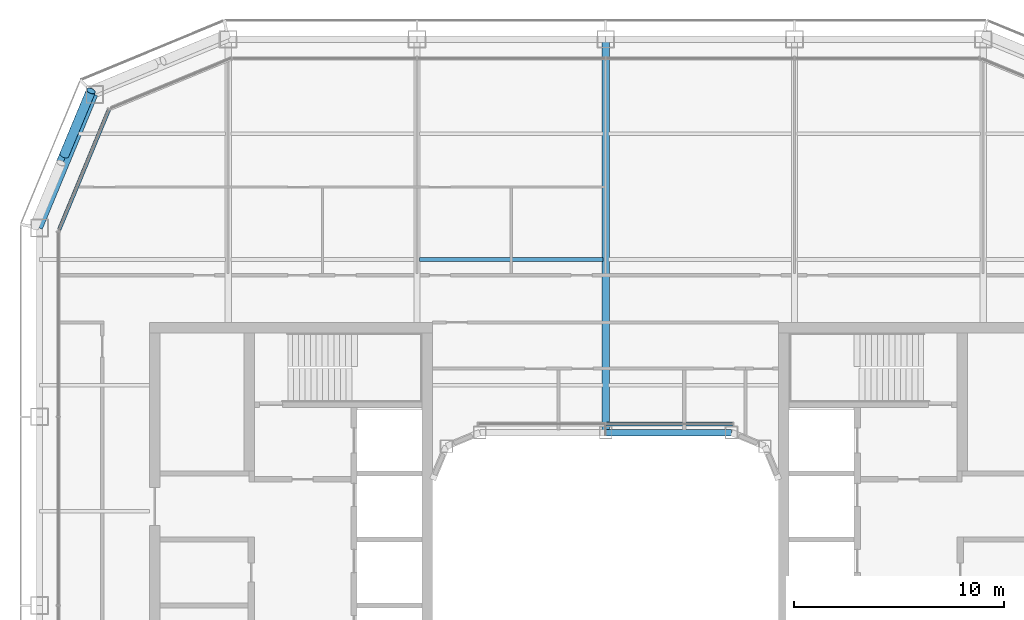
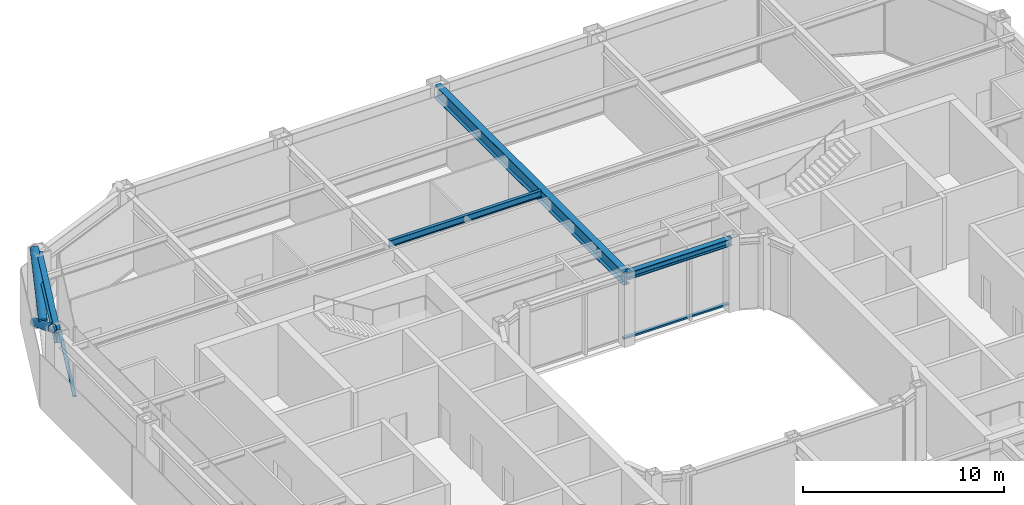
# One storey, part 7 of 19: 4 beams, 4 members, 2 elements without a shape of their own.
"""IFC4 building model written with IfcOpenShell, lengths in metres."""

import ifcopenshell
import ifcopenshell.guid

model = None  # the IFC model being written
_history = None  # IfcOwnerHistory: only IFC2X3 demands one
_inside = {}  # id of a spatial element -> (the spatial element, [elements in it])
_under = {}  # id of a project, library or spatial element -> (it, [spatial elements below it])
_declared = {}  # id of a project -> (the project, [libraries it declares])
_typed = {}  # id of a type object -> (the type object, [elements of that type])
_made_of = {}  # id of a material, layer set ... -> (it, [elements and type objects made of it])


def new_model(schema):
    """Start an empty IFC model of exactly this schema.

    Asked for "IFC4X3", IfcOpenShell would pick the latest addendum, in which some entities
    have other attributes; the version numbers below select the first issue.
    IFC2X3 requires an IfcOwnerHistory on every rooted entity: one is made here for all.
    """
    global model, _history
    if schema == "IFC4X3":
        model = ifcopenshell.file(schema_version=(4, 3, 0, 0))
    else:
        model = ifcopenshell.file(schema=schema)
    _inside.clear()
    _under.clear()
    _declared.clear()
    _typed.clear()
    _made_of.clear()
    _history = None
    if model.schema == "IFC2X3":
        org = make("IfcOrganization", Name="unknown")
        user = make(
            "IfcPersonAndOrganization",
            ThePerson=make("IfcPerson", FamilyName="unknown"),
            TheOrganization=org,
        )
        app = make(
            "IfcApplication",
            ApplicationDeveloper=org,
            Version="unknown",
            ApplicationFullName="unknown",
            ApplicationIdentifier="unknown",
        )
        _history = make(
            "IfcOwnerHistory",
            OwningUser=user,
            OwningApplication=app,
            ChangeAction="ADDED",
            CreationDate=0,
        )
    return model


def make(cls, **values):
    """One entity of the class cls with the attributes given. An attribute that is None is left unset."""
    return model.create_entity(
        cls, **{name: value for name, value in values.items() if value is not None}
    )


def rooted(cls, **values):
    """An entity with a GlobalId (a new one), such as an element, a storey or a relation."""
    return make(cls, GlobalId=ifcopenshell.guid.new(), OwnerHistory=_history, **values)


def si_unit(unit_type, name, prefix=None):
    """IfcSIUnit, for example si_unit("LENGTHUNIT", "METRE", prefix="MILLI")."""
    return make("IfcSIUnit", UnitType=unit_type, Prefix=prefix, Name=name)


def assignment(units):
    """IfcUnitAssignment: the units of a project."""
    return None if units is None else make("IfcUnitAssignment", Units=units)


def point(xyz):
    """IfcCartesianPoint."""
    return None if xyz is None else make("IfcCartesianPoint", Coordinates=xyz)


def direction(xyz):
    """IfcDirection."""
    return None if xyz is None else make("IfcDirection", DirectionRatios=xyz)


def frame(location, z_axis=None, x_axis=None):
    """IfcAxis2Placement3D, a coordinate frame: its origin and axes. An axis left out is left unset."""
    return make(
        "IfcAxis2Placement3D",
        Location=point(location),
        Axis=direction(z_axis),
        RefDirection=direction(x_axis),
    )


def frame_2d(location, x_axis=None):
    """IfcAxis2Placement2D, a coordinate frame in the plane: its origin and x axis."""
    return make(
        "IfcAxis2Placement2D", Location=point(location), RefDirection=direction(x_axis)
    )


def origin():
    """The frame at (0, 0, 0) with its axes left unset."""
    return frame((0.0, 0.0, 0.0))


def origin_2d():
    """The frame at (0, 0) in the plane with its x axis left unset."""
    return frame_2d((0.0, 0.0))


def place(relative_to, where):
    """IfcLocalPlacement: puts the frame where relative to a parent placement (None: the world)."""
    return make(
        "IfcLocalPlacement", PlacementRelTo=relative_to, RelativePlacement=where
    )


def context(
    kind, dimensions, precision=None, world=None, true_north=None, identifier=None
):
    """IfcGeometricRepresentationContext, for example the 3D "Model" context."""
    return make(
        "IfcGeometricRepresentationContext",
        ContextIdentifier=identifier,
        ContextType=kind,
        CoordinateSpaceDimension=dimensions,
        Precision=precision,
        WorldCoordinateSystem=world,
        TrueNorth=true_north,
    )


def subcontext(parent, identifier, kind, view, scale=None):
    """IfcGeometricRepresentationSubContext, for example "Body" below "Model"."""
    return make(
        "IfcGeometricRepresentationSubContext",
        ContextIdentifier=identifier,
        ContextType=kind,
        ParentContext=parent,
        TargetScale=scale,
        TargetView=view,
    )


def project(units=None, contexts=None):
    """IfcProject with its units and contexts."""
    return rooted(
        "IfcProject",
        Name="project",
        RepresentationContexts=contexts,
        UnitsInContext=assignment(units),
    )


def spatial(cls, under=None, at=None, **own):
    """A site, building, storey or space (cls), placed at a placement, below another one or the project."""
    s = rooted(cls, ObjectPlacement=at, **own)
    if under is not None:
        _under.setdefault(under.id(), (under, []))[1].append(s)
    return s


def profile(cls, at=None, kind="AREA", **sizes):
    """A parametric profile (cls). Its sizes go by their IFC names, for example OverallWidth=200.0."""
    return make(cls, ProfileType=kind, Position=at, **sizes)


def rectangle(**sizes):
    """IfcRectangleProfileDef."""
    return profile("IfcRectangleProfileDef", **sizes)


def hollow_circle(**sizes):
    """IfcCircleHollowProfileDef."""
    return profile("IfcCircleHollowProfileDef", **sizes)


def i_section(**sizes):
    """IfcIShapeProfileDef."""
    return profile("IfcIShapeProfileDef", **sizes)


def extrude(swept, where, along, depth):
    """IfcExtrudedAreaSolid: the profile swept, set in the frame where, extruded along a direction by depth."""
    return make(
        "IfcExtrudedAreaSolid",
        SweptArea=swept,
        Position=where,
        ExtrudedDirection=direction(along),
        Depth=depth,
    )


def shape(context_of_items, identifier, shape_type, items):
    """IfcShapeRepresentation: the items that make up one representation, for example the "Body"."""
    return make(
        "IfcShapeRepresentation",
        ContextOfItems=context_of_items,
        RepresentationIdentifier=identifier,
        RepresentationType=shape_type,
        Items=items,
    )


def material(Name=None, Category=None):
    """IfcMaterial."""
    return make("IfcMaterial", Name=Name, Category=Category)


def layer(
    of_material, thickness, ventilated=None, Name=None, Category=None, Priority=None
):
    """IfcMaterialLayer: one layer of a wall or slab, of a material (None: an air gap)."""
    return make(
        "IfcMaterialLayer",
        Material=of_material,
        LayerThickness=thickness,
        IsVentilated=ventilated,
        Name=Name,
        Category=Category,
        Priority=Priority,
    )


def layer_set(layers, Name=None):
    """IfcMaterialLayerSet."""
    return make("IfcMaterialLayerSet", MaterialLayers=layers, LayerSetName=Name)


def material_profile(
    of_material, cross_section, Name=None, Category=None, Priority=None
):
    """IfcMaterialProfile: a cross section and its material."""
    return make(
        "IfcMaterialProfile",
        Name=Name,
        Material=of_material,
        Profile=cross_section,
        Priority=Priority,
        Category=Category,
    )


def profile_set(profiles, Name=None, composite=None):
    """IfcMaterialProfileSet."""
    return make(
        "IfcMaterialProfileSet",
        Name=Name,
        MaterialProfiles=profiles,
        CompositeProfile=composite,
    )


def made_of(thing, what):
    """Note that an element or type object is made of a material, layer set ...; save() writes the relation."""
    if what is not None:
        _made_of.setdefault(what.id(), (what, []))[1].append(thing)
    return thing


def type_object(cls, material=None, **own):
    """A type object (cls), such as IfcWallType, which elements share."""
    return made_of(rooted(cls, **own), material)


def element(
    cls,
    number,
    at=None,
    inside=None,
    cuts=None,
    type_object=None,
    material=None,
    context=None,
    identifier="Body",
    shape_type=None,
    held_by="IfcProductDefinitionShape",
    body=None,
    shapes=None,
    **own,
):
    """One element of the class cls, such as IfcWall. Its Tag is "e" and its number.

    at: its placement. inside: the storey or other place that contains it. cuts: it is an
    opening in that element (IfcRelVoidsElement). A single representation is given by context,
    identifier, shape_type and body (its items); several are given by shapes. held_by: the class
    of the entity that holds the representations. save() writes the other relations.
    """
    e = rooted(cls, Tag="e%d" % number, ObjectPlacement=at, **own)
    if body is not None:
        shapes = [shape(context, identifier, shape_type, body)]
    if shapes is not None:
        e.Representation = make(held_by, Representations=shapes)
    if inside is not None:
        _inside.setdefault(inside.id(), (inside, []))[1].append(e)
    if cuts is not None:
        rooted(
            "IfcRelVoidsElement", RelatingBuildingElement=cuts, RelatedOpeningElement=e
        )
    if type_object is not None:
        _typed.setdefault(type_object.id(), (type_object, []))[1].append(e)
    return made_of(e, material)


def aggregate(whole, parts):
    """IfcRelAggregates: a whole, such as a stair, and the parts it consists of."""
    return rooted("IfcRelAggregates", RelatingObject=whole, RelatedObjects=parts)


def save(model, path):
    """Write the relations noted so far, then the file.

    IfcRelAggregates (storeys below a building ...), IfcRelContainedInSpatialStructure (elements
    in a storey), IfcRelDefinesByType, IfcRelAssociatesMaterial and IfcRelDeclares: one each for
    every whole, place, type object, material and project.
    """
    for whole, parts in _under.values():
        aggregate(whole, parts)
    for where, things in _inside.values():
        rooted(
            "IfcRelContainedInSpatialStructure",
            RelatedElements=things,
            RelatingStructure=where,
        )
    for kind, things in _typed.values():
        rooted("IfcRelDefinesByType", RelatedObjects=things, RelatingType=kind)
    for what, things in _made_of.values():
        rooted("IfcRelAssociatesMaterial", RelatedObjects=things, RelatingMaterial=what)
    for by, libraries in _declared.values():
        rooted("IfcRelDeclares", RelatingContext=by, RelatedDefinitions=libraries)
    model.write(path)


model = new_model("IFC4")

# Units and contexts
model_context = context("Model", 3, precision=1e-05, world=origin(), true_north=direction((0.0, 1.0)))
body_context = subcontext(model_context, "Body", "Model", "MODEL_VIEW")
ifc_project = project(units=[si_unit("LENGTHUNIT", "METRE"), si_unit("AREAUNIT", "SQUARE_METRE"), si_unit("VOLUMEUNIT", "CUBIC_METRE"), si_unit("PLANEANGLEUNIT", "RADIAN"), si_unit("MASSUNIT", "GRAM", prefix="KILO")], contexts=[model_context])

# Site, building, storey
site_placement = place(None, origin())
site = spatial("IfcSite", under=ifc_project, at=site_placement, CompositionType="ELEMENT")
building_placement = place(site_placement, origin())
building = spatial("IfcBuilding", under=site, at=building_placement, Name="Siwar Civic Tower", CompositionType="ELEMENT")
storey_placement = place(building_placement, frame((0.0, 0.0, 228.699951171875)))
storey = spatial("IfcBuildingStorey", under=building, at=storey_placement, Name="L49", CompositionType="ELEMENT", Elevation=228.699951171875)

# Curtain wall, member
ifc_material_1 = material(Name="Aluminium clad insulated panel", Category="aluminium")
ifc_layer_1 = layer(ifc_material_1, 0.179931640625)
ifc_layer_set_1 = layer_set([ifc_layer_1], Name="Aluminium clad insulated panel")
curtain_wall_type_1 = type_object("IfcCurtainWallType", Name="ENV-CW-CX", PredefinedType="NOTDEFINED", material=ifc_layer_set_1)
curtain_wall_1_placement = place(storey_placement, origin())
curtain_wall_1 = element("IfcCurtainWall", 1, at=curtain_wall_1_placement, inside=storey, type_object=curtain_wall_type_1, Name="Curtain wall C NW2", PredefinedType="NOTDEFINED")
ifc_material_2 = material(Name="Aluminium 6063-T6", Category="aluminium")
ifc_material_profile_1 = material_profile(ifc_material_2, rectangle(XDim=0.179931640625, YDim=0.10009765625, at=origin_2d()), Name="AL 180x100")
ifc_profile_set_1 = profile_set([ifc_material_profile_1], Name="Aluminium 6063-T6")
member_type_1 = type_object("IfcMemberType", Name="ENV-TRANSOM-C", PredefinedType="USERDEFINED", material=ifc_profile_set_1)
member_1_placement = place(storey_placement, frame((-23.6865234375, 23.6474609375, 0.050048828125), z_axis=(-0.382691366456, -0.923876246063, 0.0), x_axis=(0.923876246063, -0.382691366456, 0.0)))
member_1 = element("IfcMember", 2, at=member_1_placement, type_object=member_type_1, Name="Transom C NW2 1", ObjectType="TRANSOM", PredefinedType="USERDEFINED", context=body_context, shape_type="SweptSolid", body=[
    extrude(rectangle(XDim=0.179931640625, YDim=0.10009765625, at=origin_2d()), origin(), (0.0, 0.0, 1.0), 6.20166015625),
])
aggregate(curtain_wall_1, [member_1])

ifc_material_3 = material(Name="Aluminium and glass", Category="aluminium")
ifc_layer_2 = layer(ifc_material_3, 0.179931640625)
ifc_layer_set_2 = layer_set([ifc_layer_2], Name="Aluminium and glass")
curtain_wall_type_2 = type_object("IfcCurtainWallType", Name="ENV-CW-W", PredefinedType="NOTDEFINED", material=ifc_layer_set_2)
curtain_wall_2_placement = place(storey_placement, origin())
curtain_wall_2 = element("IfcCurtainWall", 3, at=curtain_wall_2_placement, inside=storey, type_object=curtain_wall_type_2, Name="Curtain wall W WN", PredefinedType="NOTDEFINED")
ifc_material_4 = material(Name="Aluminium 6063-T6", Category="aluminium")
ifc_material_profile_2 = material_profile(ifc_material_4, rectangle(XDim=0.179931640625, YDim=0.10009765625, at=origin_2d()), Name="AL 180x100")
ifc_profile_set_2 = profile_set([ifc_material_profile_2], Name="Aluminium 6063-T6")
member_type_2 = type_object("IfcMemberType", Name="ENV-TRANSOM-W", PredefinedType="USERDEFINED", material=ifc_profile_set_2)
member_2_placement = place(storey_placement, frame((6.051513671875, 8.659912109375, 0.050048828125), z_axis=(-1.0, 0.0, 0.0), x_axis=(0.0, -1.0, 0.0)))
member_2 = element("IfcMember", 4, at=member_2_placement, type_object=member_type_2, Name="Transom W WN 1", ObjectType="TRANSOM", PredefinedType="USERDEFINED", context=body_context, shape_type="SweptSolid", body=[
    extrude(rectangle(XDim=0.179931640625, YDim=0.10009765625, at=origin_2d()), origin(), (0.0, 0.0, 1.0), 6.021484375),
])
aggregate(curtain_wall_2, [member_2])

# Members
ifc_material_5 = material(Name="Steel S355", Category="steel")
ifc_material_profile_3 = material_profile(ifc_material_5, hollow_circle(Radius=0.228515625, WallThickness=0.02001953125, at=origin_2d()), Name="CHS457x20")
ifc_profile_set_3 = profile_set([ifc_material_profile_3], Name="Steel S355")
member_type_3 = type_object("IfcMemberType", Name="STR-BR-CHS457x20", PredefinedType="BRACE", material=ifc_profile_set_3)
member_3_placement = place(storey_placement, frame((-24.540771484375, 24.540771484375, 0.0), z_axis=(-0.323905527954, -0.777554562952, 0.538975055633), x_axis=(0.923108759191, -0.384538969033, 0.0)))
element("IfcMember", 5, at=member_3_placement, inside=storey, type_object=member_type_3, Name="L49/brc/CNW1-9-0-1", PredefinedType="BRACE", context=body_context, shape_type="SweptSolid", body=[
    extrude(hollow_circle(Radius=0.228515625, WallThickness=0.02001953125, at=origin_2d()), origin(), (0.0, 0.0, 1.0), 8.34912109375),
])
member_4_placement = place(storey_placement, frame((-25.81298828125, 21.486572265625, 2.383056640625), z_axis=(0.323895306243, 0.777572496853, 0.538955325357), x_axis=(-0.92311621485, 0.38452107079, 0.0)))
element("IfcMember", 6, at=member_4_placement, inside=storey, type_object=member_type_3, Name="L49/brc/CNW1-9-0-3", PredefinedType="BRACE", context=body_context, shape_type="SweptSolid", body=[
    extrude(hollow_circle(Radius=0.228515625, WallThickness=0.02001953125, at=origin_2d()), origin(), (0.0, 0.0, 1.0), 3.927978515625),
])

# Beams
ifc_material_6 = material(Name="Steel S355", Category="steel")
ifc_material_profile_4 = material_profile(ifc_material_6, i_section(OverallWidth=0.179931640625, OverallDepth=0.39990234375, WebThickness=0.008544921875, FlangeThickness=0.013427734375, FilletRadius=0.02099609375, at=origin_2d()), Name="IPE400")
ifc_profile_set_4 = profile_set([ifc_material_profile_4], Name="Steel S355")
beam_type_1 = type_object("IfcBeamType", Name="STR-FB-IPE400", PredefinedType="JOIST", material=ifc_profile_set_4)
beam_1_placement = place(storey_placement, frame((-8.8701171875, 16.5, 4.150146484375), z_axis=(1.0, 0.0, 0.0), x_axis=(0.0, 1.0, 0.0)))
element("IfcBeam", 7, at=beam_1_placement, inside=storey, type_object=beam_type_1, Name="L49/bm/F033", PredefinedType="JOIST", context=body_context, shape_type="SweptSolid", body=[
    extrude(i_section(OverallWidth=0.179931640625, OverallDepth=0.39990234375, WebThickness=0.008544921875, FlangeThickness=0.013427734375, FilletRadius=0.02099609375, at=origin_2d()), origin(), (0.0, 0.0, 1.0), 8.740234375),
])
ifc_material_7 = material(Name="Steel S355", Category="steel")
ifc_material_profile_5 = material_profile(ifc_material_7, i_section(OverallWidth=0.360107421875, OverallDepth=0.800048828125, WebThickness=0.013916015625, FlangeThickness=0.031982421875, at=origin_2d()), Name="PG800x360x14x32")
ifc_profile_set_5 = profile_set([ifc_material_profile_5], Name="Steel S355")
beam_type_2 = type_object("IfcBeamType", Name="STR-PG-PG800x360x14x32", PredefinedType="BEAM", material=ifc_profile_set_5)
beam_2_placement = place(storey_placement, frame((0.0, 8.25, 3.949951171875), z_axis=(0.0, 1.0, 0.0), x_axis=(-1.0, 0.0, 0.0)))
element("IfcBeam", 8, at=beam_2_placement, inside=storey, type_object=beam_type_2, Name="L49/bm/G06", PredefinedType="BEAM", context=body_context, shape_type="SweptSolid", body=[
    extrude(i_section(OverallWidth=0.360107421875, OverallDepth=0.800048828125, WebThickness=0.013916015625, FlangeThickness=0.031982421875, at=origin_2d()), origin(), (0.0, 0.0, 1.0), 18.75),
])
ifc_material_8 = material(Name="Steel S355", Category="steel")
ifc_material_profile_6 = material_profile(ifc_material_8, i_section(OverallWidth=0.306884765625, OverallDepth=0.431884765625, WebThickness=0.02099609375, FlangeThickness=0.0400390625, FilletRadius=0.027099609375, at=origin_2d()), Name="HEM400")
ifc_profile_set_6 = profile_set([ifc_material_profile_6], Name="Steel S355")
beam_type_3 = type_object("IfcBeamType", Name="STR-RB-HEM400", PredefinedType="BEAM", material=ifc_profile_set_6)
beam_3_placement = place(storey_placement, frame((0.0, 8.25, 4.134033203125), z_axis=(1.0, 0.0, 0.0), x_axis=(0.0, 1.0, 0.0)))
element("IfcBeam", 9, at=beam_3_placement, inside=storey, type_object=beam_type_3, Name="L49/bm/RN2", PredefinedType="BEAM", context=body_context, shape_type="SweptSolid", body=[
    extrude(i_section(OverallWidth=0.306884765625, OverallDepth=0.431884765625, WebThickness=0.02099609375, FlangeThickness=0.0400390625, FilletRadius=0.027099609375, at=origin_2d()), origin(), (0.0, 0.0, 1.0), 6.0),
])
ifc_material_9 = material(Name="Steel S355", Category="steel")
ifc_material_profile_7 = material_profile(ifc_material_9, i_section(OverallWidth=0.300048828125, OverallDepth=0.800048828125, WebThickness=0.017578125, FlangeThickness=0.032958984375, FilletRadius=0.030029296875, at=origin_2d()), Name="HEB800")
ifc_profile_set_7 = profile_set([ifc_material_profile_7], Name="Steel S355")
beam_type_4 = type_object("IfcBeamType", Name="STR-SB-HEB800", PredefinedType="BEAM", material=ifc_profile_set_7)
beam_4_placement = place(storey_placement, frame((-24.364013671875, 24.364013671875, 3.949951171875), z_axis=(-0.382674207535, -0.923883353507, 0.0), x_axis=(0.923883353507, -0.382674207535, 0.0)))
element("IfcBeam", 10, at=beam_4_placement, inside=storey, type_object=beam_type_4, Name="L49/bm/SNW2-0", PredefinedType="BEAM", context=body_context, shape_type="SweptSolid", body=[
    extrude(i_section(OverallWidth=0.300048828125, OverallDepth=0.800048828125, WebThickness=0.017578125, FlangeThickness=0.032958984375, FilletRadius=0.030029296875, at=origin_2d()), origin(), (0.0, 0.0, 1.0), 6.888427734375),
])

save(model, "model.ifc")
